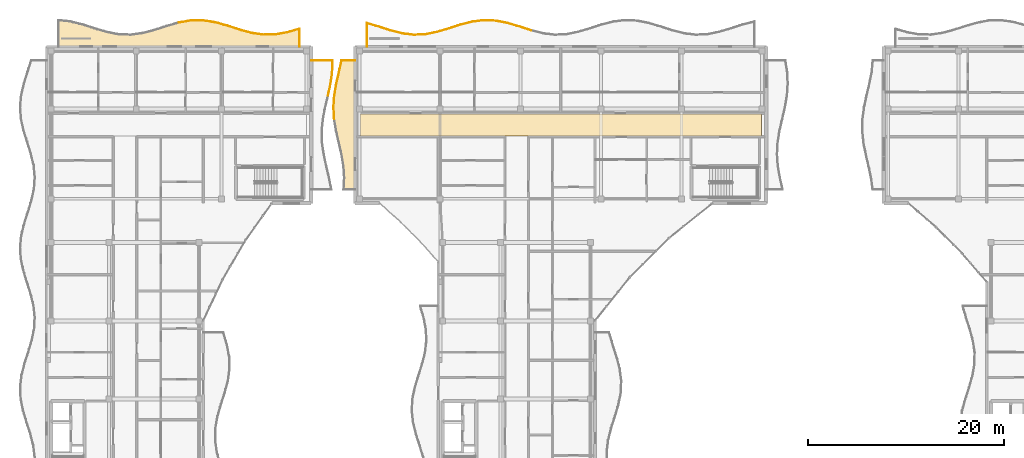
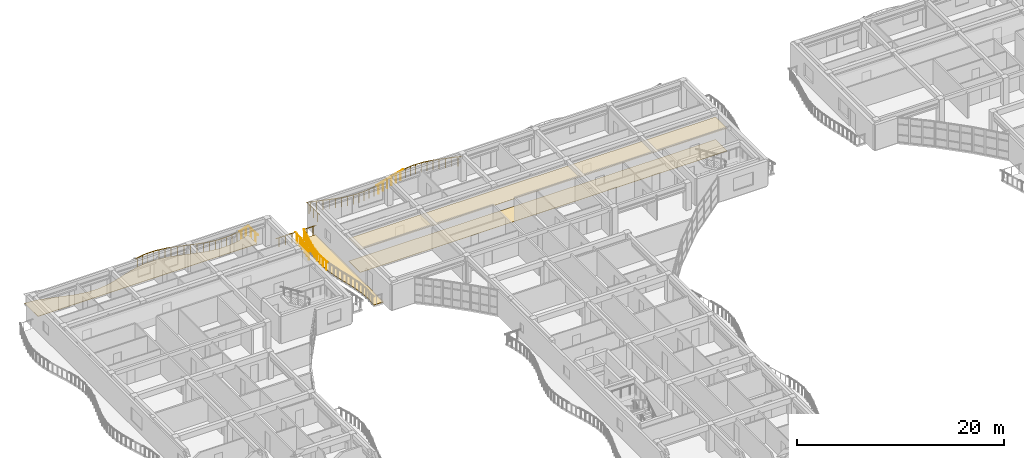
# One storey, part 66 of 79: 36 railings, 4 coverings.
"""IFC4 building model written with IfcOpenShell, lengths in metres."""

from ifc_helpers import new_model, si_unit, direction, frame, origin, origin_2d, place, context, subcontext, project, spatial, polyline, circle, outline, extrude, material, layer, layer_set, type_object, element, save


model = new_model("IFC4")

# Units and contexts
model_context = context("Model", 3, precision=1e-05, world=origin(), true_north=direction((0.0, 1.0)))
body_context = subcontext(model_context, "Body", "Model", "MODEL_VIEW")
ifc_project = project(units=[si_unit("LENGTHUNIT", "METRE"), si_unit("AREAUNIT", "SQUARE_METRE"), si_unit("VOLUMEUNIT", "CUBIC_METRE"), si_unit("PLANEANGLEUNIT", "RADIAN"), si_unit("MASSUNIT", "GRAM", prefix="KILO")], contexts=[model_context])

# Site, building, storey
site_placement = place(None, origin())
site = spatial("IfcSite", under=ifc_project, at=site_placement, CompositionType="ELEMENT")
building_placement = place(site_placement, origin())
building = spatial("IfcBuilding", under=site, at=building_placement, Name="Keldmere Railside Commons", CompositionType="ELEMENT")
storey_placement = place(building_placement, frame((0.0, 0.0, 10.56005859375)))
storey = spatial("IfcBuildingStorey", under=building, at=storey_placement, Name="L03", CompositionType="ELEMENT", Elevation=10.56005859375)

# Railings
ifc_material_1 = material(Name="Steel F-24 (S235)", Category="steel")
railing_type = type_object("IfcRailingType", Name="Balcony & Terrace Steel Balustrade 1100", PredefinedType="BALUSTRADE", material=ifc_material_1)
railing_1_placement = place(storey_placement, frame((21.5, 118.4521484375, 0.0)))
element("IfcRailing", 1, at=railing_1_placement, inside=storey, type_object=railing_type, Name="GR-1 GRD-L03-0266", PredefinedType="BALUSTRADE", context=body_context, shape_type="SweptSolid", body=[
    extrude(circle(Radius=0.02392578125, at=origin_2d()), frame((0.0, 0.0, 1.076171875), z_axis=(0.985151416024, 0.171687761665, 0.0), x_axis=(-0.171687761665, 0.985151416024, 0.0)), (0.0, 0.0, 1.0), 1.24853515625),
    extrude(circle(Radius=0.02099609375, at=origin_2d()), frame((0.3076171875, 0.0537109375, 0.0)), (0.0, 0.0, 1.0), 1.048095703125),
    extrude(circle(Radius=0.02099609375, at=origin_2d()), frame((0.92236328125, 0.16064453125, 0.0)), (0.0, 0.0, 1.0), 1.048095703125),
])
railing_2_placement = place(storey_placement, frame((22.72998046875, 118.66650390625, 0.0)))
element("IfcRailing", 2, at=railing_2_placement, inside=storey, type_object=railing_type, Name="GR-1 GRD-L03-0267", PredefinedType="BALUSTRADE", context=body_context, shape_type="SweptSolid", body=[
    extrude(circle(Radius=0.02392578125, at=origin_2d()), frame((0.0, 0.0, 1.076171875), z_axis=(0.999946736995, 0.010321006416, 0.0), x_axis=(-0.010321006416, 0.999946736995, 0.0)), (0.0, 0.0, 1.0), 1.22998046875),
    extrude(circle(Radius=0.02099609375, at=origin_2d()), frame((0.3076171875, 0.003173828125, 0.0)), (0.0, 0.0, 1.0), 1.048095703125),
    extrude(circle(Radius=0.02099609375, at=origin_2d()), frame((0.92236328125, 0.009521484375, 0.0)), (0.0, 0.0, 1.0), 1.048095703125),
])
railing_3_placement = place(storey_placement, frame((23.9599609375, 118.67919921875, 0.0)))
element("IfcRailing", 3, at=railing_3_placement, inside=storey, type_object=railing_type, Name="GR-1 GRD-L03-0268", PredefinedType="BALUSTRADE", context=body_context, shape_type="SweptSolid", body=[
    extrude(circle(Radius=0.02392578125, at=origin_2d()), frame((0.0, 0.0, 1.076171875), z_axis=(0.987987718432, -0.154532418048, 0.0), x_axis=(0.154532418048, 0.987987718432, 0.0)), (0.0, 0.0, 1.0), 1.244873046875),
    extrude(circle(Radius=0.02099609375, at=origin_2d()), frame((0.3076171875, -0.048095703125, 0.0)), (0.0, 0.0, 1.0), 1.048095703125),
    extrude(circle(Radius=0.02099609375, at=origin_2d()), frame((0.92236328125, -0.144287109375, 0.0)), (0.0, 0.0, 1.0), 1.048095703125),
])
railing_4_placement = place(storey_placement, frame((25.18994140625, 118.48681640625, 0.0)))
element("IfcRailing", 4, at=railing_4_placement, inside=storey, type_object=railing_type, Name="GR-1 GRD-L03-0269", PredefinedType="BALUSTRADE", context=body_context, shape_type="SweptSolid", body=[
    extrude(circle(Radius=0.02392578125, at=origin_2d()), frame((0.0, 0.0, 1.076171875), z_axis=(0.963193999011, -0.268807217667, 0.0), x_axis=(0.268807217667, 0.963193999011, 0.0)), (0.0, 0.0, 1.0), 1.277099609375),
    extrude(circle(Radius=0.02099609375, at=origin_2d()), frame((0.3076171875, -0.0859375, 0.0)), (0.0, 0.0, 1.0), 1.048095703125),
    extrude(circle(Radius=0.02099609375, at=origin_2d()), frame((0.92236328125, -0.25732421875, 0.0)), (0.0, 0.0, 1.0), 1.048095703125),
])
railing_5_placement = place(storey_placement, frame((26.419921875, 118.1435546875, 0.0)))
element("IfcRailing", 5, at=railing_5_placement, inside=storey, type_object=railing_type, Name="GR-1 GRD-L03-0270", PredefinedType="BALUSTRADE", context=body_context, shape_type="SweptSolid", body=[
    extrude(circle(Radius=0.02392578125, at=origin_2d()), frame((0.0, 0.0, 1.076171875), z_axis=(0.951496564548, -0.307659369521, 0.0), x_axis=(0.307659369521, 0.951496564548, 0.0)), (0.0, 0.0, 1.0), 1.292724609375),
    extrude(circle(Radius=0.02099609375, at=origin_2d()), frame((0.3076171875, -0.099365234375, 0.0)), (0.0, 0.0, 1.0), 1.048095703125),
    extrude(circle(Radius=0.02099609375, at=origin_2d()), frame((0.92236328125, -0.29833984375, 0.0)), (0.0, 0.0, 1.0), 1.048095703125),
])
railing_6_placement = place(storey_placement, frame((27.64990234375, 117.745849609375, 0.0)))
element("IfcRailing", 6, at=railing_6_placement, inside=storey, type_object=railing_type, Name="GR-1 GRD-L03-0271", PredefinedType="BALUSTRADE", context=body_context, shape_type="SweptSolid", body=[
    extrude(circle(Radius=0.02392578125, at=origin_2d()), frame((0.0, 0.0, 1.076171875), z_axis=(0.963786016475, -0.26667679773, 0.0), x_axis=(0.26667679773, 0.963786016475, 0.0)), (0.0, 0.0, 1.0), 1.276123046875),
    extrude(circle(Radius=0.02099609375, at=origin_2d()), frame((0.3076171875, -0.0849609375, 0.0)), (0.0, 0.0, 1.0), 1.048095703125),
    extrude(circle(Radius=0.02099609375, at=origin_2d()), frame((0.92236328125, -0.25537109375, 0.0)), (0.0, 0.0, 1.0), 1.048095703125),
])
railing_7_placement = place(storey_placement, frame((28.8798828125, 117.405517578125, 0.0)))
element("IfcRailing", 7, at=railing_7_placement, inside=storey, type_object=railing_type, Name="GR-1 GRD-L03-0272", PredefinedType="BALUSTRADE", context=body_context, shape_type="SweptSolid", body=[
    extrude(circle(Radius=0.02392578125, at=origin_2d()), frame((0.0, 0.0, 1.076171875), z_axis=(0.988642296583, -0.150287755345, 0.0), x_axis=(0.150287755345, 0.988642296583, 0.0)), (0.0, 0.0, 1.0), 1.244384765625),
    extrude(circle(Radius=0.02099609375, at=origin_2d()), frame((0.3076171875, -0.046875, 0.0)), (0.0, 0.0, 1.0), 1.048095703125),
    extrude(circle(Radius=0.02099609375, at=origin_2d()), frame((0.922607421875, -0.14013671875, 0.0)), (0.0, 0.0, 1.0), 1.048095703125),
])
railing_8_placement = place(storey_placement, frame((30.110107421875, 117.218505859375, 0.0)))
element("IfcRailing", 8, at=railing_8_placement, inside=storey, type_object=railing_type, Name="GR-1 GRD-L03-0273", PredefinedType="BALUSTRADE", context=body_context, shape_type="SweptSolid", body=[
    extrude(circle(Radius=0.02392578125, at=origin_2d()), frame((0.0, 0.0, 1.076171875), z_axis=(0.999889209116, 0.014885210537, 0.0), x_axis=(-0.014885210537, 0.999889209116, 0.0)), (0.0, 0.0, 1.0), 1.230224609375),
    extrude(circle(Radius=0.02099609375, at=origin_2d()), frame((0.3076171875, 0.004638671875, 0.0)), (0.0, 0.0, 1.0), 1.048095703125),
    extrude(circle(Radius=0.02099609375, at=origin_2d()), frame((0.92236328125, 0.013671875, 0.0)), (0.0, 0.0, 1.0), 1.048095703125),
])
railing_9_placement = place(storey_placement, frame((31.340087890625, 117.23681640625, 0.0)))
element("IfcRailing", 9, at=railing_9_placement, inside=storey, type_object=railing_type, Name="GR-1 GRD-L03-0274", PredefinedType="BALUSTRADE", context=body_context, shape_type="SweptSolid", body=[
    extrude(circle(Radius=0.02392578125, at=origin_2d()), frame((0.0, 0.0, 1.076171875), z_axis=(0.984516823713, 0.175290113313, 0.0), x_axis=(-0.175290113313, 0.984516823713, 0.0)), (0.0, 0.0, 1.0), 1.249267578125),
    extrude(circle(Radius=0.02099609375, at=origin_2d()), frame((0.3076171875, 0.0546875, 0.0)), (0.0, 0.0, 1.0), 1.048095703125),
    extrude(circle(Radius=0.02099609375, at=origin_2d()), frame((0.92236328125, 0.164306640625, 0.0)), (0.0, 0.0, 1.0), 1.048095703125),
])
railing_10_placement = place(storey_placement, frame((32.570068359375, 117.455810546875, 0.0)))
element("IfcRailing", 10, at=railing_10_placement, inside=storey, type_object=railing_type, Name="GR-1 GRD-L03-0275", PredefinedType="BALUSTRADE", context=body_context, shape_type="SweptSolid", body=[
    extrude(circle(Radius=0.02392578125, at=origin_2d()), frame((0.0, 0.0, 1.076171875), z_axis=(0.960174847078, 0.279399826482, 0.0), x_axis=(-0.279399826482, 0.960174847078, 0.0)), (0.0, 0.0, 1.0), 1.281005859375),
    extrude(circle(Radius=0.02099609375, at=origin_2d()), frame((0.3076171875, 0.08935546875, 0.0)), (0.0, 0.0, 1.0), 1.048095703125),
    extrude(circle(Radius=0.02099609375, at=origin_2d()), frame((0.92236328125, 0.2685546875, 0.0)), (0.0, 0.0, 1.0), 1.048095703125),
])
railing_11_placement = place(storey_placement, frame((33.800048828125, 117.813720703125, 0.0)))
element("IfcRailing", 11, at=railing_11_placement, inside=storey, type_object=railing_type, Name="GR-1 GRD-L03-0276", PredefinedType="BALUSTRADE", context=body_context, shape_type="SweptSolid", body=[
    extrude(circle(Radius=0.02392578125, at=origin_2d()), frame((0.0, 0.0, 1.076171875), z_axis=(0.0, -1.0, 0.0), x_axis=(1.0, 0.0, 0.0)), (0.0, 0.0, 1.0), 1.813720703125),
    extrude(circle(Radius=0.02099609375, at=origin_2d()), frame((0.0, -0.453369140625, 0.0)), (0.0, 0.0, 1.0), 1.048095703125),
    extrude(circle(Radius=0.02099609375, at=origin_2d()), frame((0.0, -1.3603515625, 0.0)), (0.0, 0.0, 1.0), 1.048095703125),
])
railing_12_placement = place(storey_placement, frame((36.735107421875, 111.0, 0.0)))
element("IfcRailing", 12, at=railing_12_placement, inside=storey, type_object=railing_type, Name="GR-1 GRD-L03-0362", PredefinedType="BALUSTRADE", context=body_context, shape_type="SweptSolid", body=[
    extrude(circle(Radius=0.02392578125, at=origin_2d()), frame((0.0, 0.0, 1.076171875), z_axis=(0.212148980095, 0.977237335679, 0.0), x_axis=(-0.977237335679, 0.212148980095, 0.0)), (0.0, 0.0, 1.0), 1.227783203125),
    extrude(circle(Radius=0.02099609375, at=origin_2d()), frame((0.065185546875, 0.300048828125, 0.0)), (0.0, 0.0, 1.0), 1.048095703125),
    extrude(circle(Radius=0.02099609375, at=origin_2d()), frame((0.1953125, 0.89990234375, 0.0)), (0.0, 0.0, 1.0), 1.048095703125),
])
railing_13_placement = place(storey_placement, frame((36.99560546875, 112.199951171875, 0.0)))
element("IfcRailing", 13, at=railing_13_placement, inside=storey, type_object=railing_type, Name="GR-1 GRD-L03-0363", PredefinedType="BALUSTRADE", context=body_context, shape_type="SweptSolid", body=[
    extrude(circle(Radius=0.02392578125, at=origin_2d()), frame((0.0, 0.0, 1.076171875), z_axis=(0.138232805242, 0.990399763507, 0.0), x_axis=(-0.990399763507, 0.138232805242, 0.0)), (0.0, 0.0, 1.0), 1.211669921875),
    extrude(circle(Radius=0.02099609375, at=origin_2d()), frame((0.0419921875, 0.300048828125, 0.0)), (0.0, 0.0, 1.0), 1.048095703125),
    extrude(circle(Radius=0.02099609375, at=origin_2d()), frame((0.12548828125, 0.89990234375, 0.0)), (0.0, 0.0, 1.0), 1.048095703125),
])
railing_14_placement = place(storey_placement, frame((37.1630859375, 113.39990234375, 0.0)))
element("IfcRailing", 14, at=railing_14_placement, inside=storey, type_object=railing_type, Name="GR-1 GRD-L03-0364", PredefinedType="BALUSTRADE", context=body_context, shape_type="SweptSolid", body=[
    extrude(circle(Radius=0.02392578125, at=origin_2d()), frame((0.0, 0.0, 1.076171875), z_axis=(0.025215738823, 0.999682032706, 0.0), x_axis=(-0.999682032706, 0.025215738823, 0.0)), (0.0, 0.0, 1.0), 1.20068359375),
    extrude(circle(Radius=0.02099609375, at=origin_2d()), frame((0.007568359375, 0.300048828125, 0.0)), (0.0, 0.0, 1.0), 1.048095703125),
    extrude(circle(Radius=0.02099609375, at=origin_2d()), frame((0.022705078125, 0.900146484375, 0.0)), (0.0, 0.0, 1.0), 1.048095703125),
])
railing_15_placement = place(storey_placement, frame((37.193359375, 114.60009765625, 0.0)))
element("IfcRailing", 15, at=railing_15_placement, inside=storey, type_object=railing_type, Name="GR-1 GRD-L03-0365", PredefinedType="BALUSTRADE", context=body_context, shape_type="SweptSolid", body=[
    extrude(circle(Radius=0.02392578125, at=origin_2d()), frame((0.0, 0.0, 1.076171875), z_axis=(-1.0, 0.0, 0.0), x_axis=(0.0, -1.0, 0.0)), (0.0, 0.0, 1.0), 2.193359375),
    extrude(circle(Radius=0.02099609375, at=origin_2d()), frame((-0.365478515625, 0.0, 0.0)), (0.0, 0.0, 1.0), 1.048095703125),
    extrude(circle(Radius=0.02099609375, at=origin_2d()), frame((-1.0966796875, 0.0, 0.0)), (0.0, 0.0, 1.0), 1.048095703125),
    extrude(circle(Radius=0.02099609375, at=origin_2d()), frame((-1.827880859375, 0.0, 0.0)), (0.0, 0.0, 1.0), 1.048095703125),
])
railing_16_placement = place(storey_placement, frame((40.699951171875, 116.0, 0.0)))
element("IfcRailing", 16, at=railing_16_placement, inside=storey, type_object=railing_type, Name="GR-1 GRD-L03-1048", PredefinedType="BALUSTRADE", context=body_context, shape_type="SweptSolid", body=[
    extrude(circle(Radius=0.02392578125, at=origin_2d()), frame((0.0, 0.0, 1.076171875), z_axis=(0.0, 1.0, 0.0), x_axis=(-1.0, 0.0, 0.0)), (0.0, 0.0, 1.0), 2.39892578125),
    extrude(circle(Radius=0.02099609375, at=origin_2d()), frame((0.0, 0.39990234375, 0.0)), (0.0, 0.0, 1.0), 1.048095703125),
    extrude(circle(Radius=0.02099609375, at=origin_2d()), frame((0.0, 1.199462890625, 0.0)), (0.0, 0.0, 1.0), 1.048095703125),
    extrude(circle(Radius=0.02099609375, at=origin_2d()), frame((0.0, 1.9990234375, 0.0)), (0.0, 0.0, 1.0), 1.048095703125),
])
railing_17_placement = place(storey_placement, frame((40.699951171875, 118.39892578125, 0.0)))
element("IfcRailing", 17, at=railing_17_placement, inside=storey, type_object=railing_type, Name="GR-1 GRD-L03-1049", PredefinedType="BALUSTRADE", context=body_context, shape_type="SweptSolid", body=[
    extrude(circle(Radius=0.02392578125, at=origin_2d()), frame((0.0, 0.0, 1.076171875), z_axis=(0.957692109251, -0.287794759992, 0.0), x_axis=(0.287794759992, 0.957692109251, 0.0)), (0.0, 0.0, 1.0), 1.2529296875),
    extrude(circle(Radius=0.02099609375, at=origin_2d()), frame((0.300048828125, -0.090087890625, 0.0)), (0.0, 0.0, 1.0), 1.048095703125),
    extrude(circle(Radius=0.02099609375, at=origin_2d()), frame((0.89990234375, -0.2705078125, 0.0)), (0.0, 0.0, 1.0), 1.048095703125),
])
railing_18_placement = place(storey_placement, frame((41.89990234375, 118.038330078125, 0.0)))
element("IfcRailing", 18, at=railing_18_placement, inside=storey, type_object=railing_type, Name="GR-1 GRD-L03-1050", PredefinedType="BALUSTRADE", context=body_context, shape_type="SweptSolid", body=[
    extrude(circle(Radius=0.02392578125, at=origin_2d()), frame((0.0, 0.0, 1.076171875), z_axis=(0.952374647841, -0.304930369345, 0.0), x_axis=(0.304930369345, 0.952374647841, 0.0)), (0.0, 0.0, 1.0), 1.26025390625),
    extrude(circle(Radius=0.02099609375, at=origin_2d()), frame((0.300048828125, -0.09619140625, 0.0)), (0.0, 0.0, 1.0), 1.048095703125),
    extrude(circle(Radius=0.02099609375, at=origin_2d()), frame((0.900146484375, -0.2880859375, 0.0)), (0.0, 0.0, 1.0), 1.048095703125),
])
railing_19_placement = place(storey_placement, frame((43.10009765625, 117.654052734375, 0.0)))
element("IfcRailing", 19, at=railing_19_placement, inside=storey, type_object=railing_type, Name="GR-1 GRD-L03-1051", PredefinedType="BALUSTRADE", context=body_context, shape_type="SweptSolid", body=[
    extrude(circle(Radius=0.02392578125, at=origin_2d()), frame((0.0, 0.0, 1.076171875), z_axis=(0.969195661645, -0.246292040976, 0.0), x_axis=(0.246292040976, 0.969195661645, 0.0)), (0.0, 0.0, 1.0), 1.238037109375),
    extrude(circle(Radius=0.02099609375, at=origin_2d()), frame((0.300048828125, -0.076171875, 0.0)), (0.0, 0.0, 1.0), 1.048095703125),
    extrude(circle(Radius=0.02099609375, at=origin_2d()), frame((0.89990234375, -0.228759765625, 0.0)), (0.0, 0.0, 1.0), 1.048095703125),
])
railing_20_placement = place(storey_placement, frame((44.300048828125, 117.34912109375, 0.0)))
element("IfcRailing", 20, at=railing_20_placement, inside=storey, type_object=railing_type, Name="GR-1 GRD-L03-1052", PredefinedType="BALUSTRADE", context=body_context, shape_type="SweptSolid", body=[
    extrude(circle(Radius=0.02392578125, at=origin_2d()), frame((0.0, 0.0, 1.076171875), z_axis=(0.992872058306, -0.119185048708, 0.0), x_axis=(0.119185048708, 0.992872058306, 0.0)), (0.0, 0.0, 1.0), 1.20849609375),
    extrude(circle(Radius=0.02099609375, at=origin_2d()), frame((0.300048828125, -0.0361328125, 0.0)), (0.0, 0.0, 1.0), 1.048095703125),
    extrude(circle(Radius=0.02099609375, at=origin_2d()), frame((0.89990234375, -0.10791015625, 0.0)), (0.0, 0.0, 1.0), 1.048095703125),
])
railing_21_placement = place(storey_placement, frame((45.5, 117.205078125, 0.0)))
element("IfcRailing", 21, at=railing_21_placement, inside=storey, type_object=railing_type, Name="GR-1 GRD-L03-1053", PredefinedType="BALUSTRADE", context=body_context, shape_type="SweptSolid", body=[
    extrude(circle(Radius=0.02392578125, at=origin_2d()), frame((0.0, 0.0, 1.076171875), z_axis=(0.998916353717, 0.046541575789, 0.0), x_axis=(-0.046541575789, 0.998916353717, 0.0)), (0.0, 0.0, 1.0), 1.201171875),
    extrude(circle(Radius=0.02099609375, at=origin_2d()), frame((0.300048828125, 0.013916015625, 0.0)), (0.0, 0.0, 1.0), 1.048095703125),
    extrude(circle(Radius=0.02099609375, at=origin_2d()), frame((0.89990234375, 0.0419921875, 0.0)), (0.0, 0.0, 1.0), 1.048095703125),
])
railing_22_placement = place(storey_placement, frame((46.699951171875, 117.260986328125, 0.0)))
element("IfcRailing", 22, at=railing_22_placement, inside=storey, type_object=railing_type, Name="GR-1 GRD-L03-1054", PredefinedType="BALUSTRADE", context=body_context, shape_type="SweptSolid", body=[
    extrude(circle(Radius=0.02392578125, at=origin_2d()), frame((0.0, 0.0, 1.076171875), z_axis=(0.980542291551, 0.196307958268, 0.0), x_axis=(-0.196307958268, 0.980542291551, 0.0)), (0.0, 0.0, 1.0), 1.223876953125),
    extrude(circle(Radius=0.02099609375, at=origin_2d()), frame((0.300048828125, 0.06005859375, 0.0)), (0.0, 0.0, 1.0), 1.048095703125),
    extrude(circle(Radius=0.02099609375, at=origin_2d()), frame((0.89990234375, 0.18017578125, 0.0)), (0.0, 0.0, 1.0), 1.048095703125),
])
railing_23_placement = place(storey_placement, frame((47.89990234375, 117.501220703125, 0.0)))
element("IfcRailing", 23, at=railing_23_placement, inside=storey, type_object=railing_type, Name="GR-1 GRD-L03-1055", PredefinedType="BALUSTRADE", context=body_context, shape_type="SweptSolid", body=[
    extrude(circle(Radius=0.02392578125, at=origin_2d()), frame((0.0, 0.0, 1.076171875), z_axis=(0.95770824342, 0.287741064998, 0.0), x_axis=(-0.287741064998, 0.95770824342, 0.0)), (0.0, 0.0, 1.0), 1.253173828125),
    extrude(circle(Radius=0.02099609375, at=origin_2d()), frame((0.300048828125, 0.090087890625, 0.0)), (0.0, 0.0, 1.0), 1.048095703125),
    extrude(circle(Radius=0.02099609375, at=origin_2d()), frame((0.900146484375, 0.2705078125, 0.0)), (0.0, 0.0, 1.0), 1.048095703125),
])
railing_24_placement = place(storey_placement, frame((49.10009765625, 117.86181640625, 0.0)))
element("IfcRailing", 24, at=railing_24_placement, inside=storey, type_object=railing_type, Name="GR-1 GRD-L03-1056", PredefinedType="BALUSTRADE", context=body_context, shape_type="SweptSolid", body=[
    extrude(circle(Radius=0.02392578125, at=origin_2d()), frame((0.0, 0.0, 1.076171875), z_axis=(0.95241289681, 0.304810882336, 0.0), x_axis=(-0.304810882336, 0.95241289681, 0.0)), (0.0, 0.0, 1.0), 1.260009765625),
    extrude(circle(Radius=0.02099609375, at=origin_2d()), frame((0.300048828125, 0.095947265625, 0.0)), (0.0, 0.0, 1.0), 1.048095703125),
    extrude(circle(Radius=0.02099609375, at=origin_2d()), frame((0.89990234375, 0.2880859375, 0.0)), (0.0, 0.0, 1.0), 1.048095703125),
])
railing_25_placement = place(storey_placement, frame((50.300048828125, 118.245849609375, 0.0)))
element("IfcRailing", 25, at=railing_25_placement, inside=storey, type_object=railing_type, Name="GR-1 GRD-L03-1057", PredefinedType="BALUSTRADE", context=body_context, shape_type="SweptSolid", body=[
    extrude(circle(Radius=0.02392578125, at=origin_2d()), frame((0.0, 0.0, 1.076171875), z_axis=(0.969195661645, 0.246292040976, 0.0), x_axis=(-0.246292040976, 0.969195661645, 0.0)), (0.0, 0.0, 1.0), 1.238037109375),
    extrude(circle(Radius=0.02099609375, at=origin_2d()), frame((0.300048828125, 0.076171875, 0.0)), (0.0, 0.0, 1.0), 1.048095703125),
    extrude(circle(Radius=0.02099609375, at=origin_2d()), frame((0.89990234375, 0.228759765625, 0.0)), (0.0, 0.0, 1.0), 1.048095703125),
])
railing_26_placement = place(storey_placement, frame((51.5, 118.55078125, 0.0)))
element("IfcRailing", 26, at=railing_26_placement, inside=storey, type_object=railing_type, Name="GR-1 GRD-L03-1058", PredefinedType="BALUSTRADE", context=body_context, shape_type="SweptSolid", body=[
    extrude(circle(Radius=0.02392578125, at=origin_2d()), frame((0.0, 0.0, 1.076171875), z_axis=(0.992872058306, 0.119185048708, 0.0), x_axis=(-0.119185048708, 0.992872058306, 0.0)), (0.0, 0.0, 1.0), 1.20849609375),
    extrude(circle(Radius=0.02099609375, at=origin_2d()), frame((0.300048828125, 0.0361328125, 0.0)), (0.0, 0.0, 1.0), 1.048095703125),
    extrude(circle(Radius=0.02099609375, at=origin_2d()), frame((0.89990234375, 0.10791015625, 0.0)), (0.0, 0.0, 1.0), 1.048095703125),
])
railing_27_placement = place(storey_placement, frame((52.699951171875, 118.69482421875, 0.0)))
element("IfcRailing", 27, at=railing_27_placement, inside=storey, type_object=railing_type, Name="GR-1 GRD-L03-1059", PredefinedType="BALUSTRADE", context=body_context, shape_type="SweptSolid", body=[
    extrude(circle(Radius=0.02392578125, at=origin_2d()), frame((0.0, 0.0, 1.076171875), z_axis=(0.998925782001, -0.046338774831, 0.0), x_axis=(0.046338774831, 0.998925782001, 0.0)), (0.0, 0.0, 1.0), 1.201171875),
    extrude(circle(Radius=0.02099609375, at=origin_2d()), frame((0.300048828125, -0.013916015625, 0.0)), (0.0, 0.0, 1.0), 1.048095703125),
    extrude(circle(Radius=0.02099609375, at=origin_2d()), frame((0.89990234375, -0.041748046875, 0.0)), (0.0, 0.0, 1.0), 1.048095703125),
])
railing_28_placement = place(storey_placement, frame((53.89990234375, 118.63916015625, 0.0)))
element("IfcRailing", 28, at=railing_28_placement, inside=storey, type_object=railing_type, Name="GR-1 GRD-L03-1060", PredefinedType="BALUSTRADE", context=body_context, shape_type="SweptSolid", body=[
    extrude(circle(Radius=0.02392578125, at=origin_2d()), frame((0.0, 0.0, 1.076171875), z_axis=(0.980549977389, -0.196269564229, 0.0), x_axis=(0.196269564229, 0.980549977389, 0.0)), (0.0, 0.0, 1.0), 1.22412109375),
    extrude(circle(Radius=0.02099609375, at=origin_2d()), frame((0.300048828125, -0.06005859375, 0.0)), (0.0, 0.0, 1.0), 1.048095703125),
    extrude(circle(Radius=0.02099609375, at=origin_2d()), frame((0.900146484375, -0.18017578125, 0.0)), (0.0, 0.0, 1.0), 1.048095703125),
])
railing_29_placement = place(storey_placement, frame((55.10009765625, 118.39892578125, 0.0)))
element("IfcRailing", 29, at=railing_29_placement, inside=storey, type_object=railing_type, Name="GR-1 GRD-L03-1061", PredefinedType="BALUSTRADE", context=body_context, shape_type="SweptSolid", body=[
    extrude(circle(Radius=0.02392578125, at=origin_2d()), frame((0.0, 0.0, 1.076171875), z_axis=(0.957692109251, -0.287794759992, 0.0), x_axis=(0.287794759992, 0.957692109251, 0.0)), (0.0, 0.0, 1.0), 1.2529296875),
    extrude(circle(Radius=0.02099609375, at=origin_2d()), frame((0.300048828125, -0.090087890625, 0.0)), (0.0, 0.0, 1.0), 1.048095703125),
    extrude(circle(Radius=0.02099609375, at=origin_2d()), frame((0.89990234375, -0.2705078125, 0.0)), (0.0, 0.0, 1.0), 1.048095703125),
])
railing_30_placement = place(storey_placement, frame((56.300048828125, 118.038330078125, 0.0)))
element("IfcRailing", 30, at=railing_30_placement, inside=storey, type_object=railing_type, Name="GR-1 GRD-L03-1062", PredefinedType="BALUSTRADE", context=body_context, shape_type="SweptSolid", body=[
    extrude(circle(Radius=0.02392578125, at=origin_2d()), frame((0.0, 0.0, 1.076171875), z_axis=(0.952356629388, -0.304986639808, 0.0), x_axis=(0.304986639808, 0.952356629388, 0.0)), (0.0, 0.0, 1.0), 1.260009765625),
    extrude(circle(Radius=0.02099609375, at=origin_2d()), frame((0.300048828125, -0.09619140625, 0.0)), (0.0, 0.0, 1.0), 1.048095703125),
    extrude(circle(Radius=0.02099609375, at=origin_2d()), frame((0.89990234375, -0.2880859375, 0.0)), (0.0, 0.0, 1.0), 1.048095703125),
])
railing_31_placement = place(storey_placement, frame((37.37060546875, 108.60009765625, 0.0)))
element("IfcRailing", 31, at=railing_31_placement, inside=storey, type_object=railing_type, Name="GR-1 GRD-L03-1158", PredefinedType="BALUSTRADE", context=body_context, shape_type="SweptSolid", body=[
    extrude(circle(Radius=0.02392578125, at=origin_2d()), frame((0.0, 0.0, 1.076171875), z_axis=(-0.058698209274, 0.998275773636, 0.0), x_axis=(-0.998275773636, -0.058698209274, 0.0)), (0.0, 0.0, 1.0), 1.201904296875),
    extrude(circle(Radius=0.02099609375, at=origin_2d()), frame((-0.017578125, 0.300048828125, 0.0)), (0.0, 0.0, 1.0), 1.048095703125),
    extrude(circle(Radius=0.02099609375, at=origin_2d()), frame((-0.052978515625, 0.89990234375, 0.0)), (0.0, 0.0, 1.0), 1.048095703125),
])
railing_32_placement = place(storey_placement, frame((37.300048828125, 109.800048828125, 0.0)))
element("IfcRailing", 32, at=railing_32_placement, inside=storey, type_object=railing_type, Name="GR-1 GRD-L03-1159", PredefinedType="BALUSTRADE", context=body_context, shape_type="SweptSolid", body=[
    extrude(circle(Radius=0.02392578125, at=origin_2d()), frame((0.0, 0.0, 1.076171875), z_axis=(0.063756087584, 0.997965511075, 0.0), x_axis=(-0.997965511075, 0.063756087584, 0.0)), (0.0, 0.0, 1.0), 1.202392578125),
    extrude(circle(Radius=0.02099609375, at=origin_2d()), frame((0.01904296875, 0.300048828125, 0.0)), (0.0, 0.0, 1.0), 1.048095703125),
    extrude(circle(Radius=0.02099609375, at=origin_2d()), frame((0.0576171875, 0.89990234375, 0.0)), (0.0, 0.0, 1.0), 1.048095703125),
])
railing_33_placement = place(storey_placement, frame((37.376708984375, 111.0, 0.0)))
element("IfcRailing", 33, at=railing_33_placement, inside=storey, type_object=railing_type, Name="GR-1 GRD-L03-1160", PredefinedType="BALUSTRADE", context=body_context, shape_type="SweptSolid", body=[
    extrude(circle(Radius=0.02392578125, at=origin_2d()), frame((0.0, 0.0, 1.076171875), z_axis=(0.167293302361, 0.985907171586, 0.0), x_axis=(-0.985907171586, 0.167293302361, 0.0)), (0.0, 0.0, 1.0), 1.217041015625),
    extrude(circle(Radius=0.02099609375, at=origin_2d()), frame((0.05078125, 0.300048828125, 0.0)), (0.0, 0.0, 1.0), 1.048095703125),
    extrude(circle(Radius=0.02099609375, at=origin_2d()), frame((0.15283203125, 0.89990234375, 0.0)), (0.0, 0.0, 1.0), 1.048095703125),
])
railing_34_placement = place(storey_placement, frame((37.580322265625, 112.199951171875, 0.0)))
element("IfcRailing", 34, at=railing_34_placement, inside=storey, type_object=railing_type, Name="GR-1 GRD-L03-1161", PredefinedType="BALUSTRADE", context=body_context, shape_type="SweptSolid", body=[
    extrude(circle(Radius=0.02392578125, at=origin_2d()), frame((0.0, 0.0, 1.076171875), z_axis=(0.224062946507, 0.974574674411, 0.0), x_axis=(-0.974574674411, 0.224062946507, 0.0)), (0.0, 0.0, 1.0), 1.231201171875),
    extrude(circle(Radius=0.02099609375, at=origin_2d()), frame((0.06884765625, 0.300048828125, 0.0)), (0.0, 0.0, 1.0), 1.048095703125),
    extrude(circle(Radius=0.02099609375, at=origin_2d()), frame((0.20703125, 0.89990234375, 0.0)), (0.0, 0.0, 1.0), 1.048095703125),
])
railing_35_placement = place(storey_placement, frame((37.856201171875, 113.39990234375, 0.0)))
element("IfcRailing", 35, at=railing_35_placement, inside=storey, type_object=railing_type, Name="GR-1 GRD-L03-1162", PredefinedType="BALUSTRADE", context=body_context, shape_type="SweptSolid", body=[
    extrude(circle(Radius=0.02392578125, at=origin_2d()), frame((0.0, 0.0, 1.076171875), z_axis=(0.222700952764, 0.974886806577, 0.0), x_axis=(-0.974886806577, 0.222700952764, 0.0)), (0.0, 0.0, 1.0), 1.231201171875),
    extrude(circle(Radius=0.02099609375, at=origin_2d()), frame((0.068603515625, 0.300048828125, 0.0)), (0.0, 0.0, 1.0), 1.048095703125),
    extrude(circle(Radius=0.02099609375, at=origin_2d()), frame((0.20556640625, 0.900146484375, 0.0)), (0.0, 0.0, 1.0), 1.048095703125),
])
railing_36_placement = place(storey_placement, frame((38.13037109375, 114.60009765625, 0.0)))
element("IfcRailing", 36, at=railing_36_placement, inside=storey, type_object=railing_type, Name="GR-1 GRD-L03-1163", PredefinedType="BALUSTRADE", context=body_context, shape_type="SweptSolid", body=[
    extrude(circle(Radius=0.02392578125, at=origin_2d()), frame((0.0, 0.0, 1.076171875), z_axis=(1.0, 0.0, 0.0), x_axis=(0.0, 1.0, 0.0)), (0.0, 0.0, 1.0), 1.36962890625),
    extrude(circle(Radius=0.02099609375, at=origin_2d()), frame((0.34228515625, 0.0, 0.0)), (0.0, 0.0, 1.0), 1.048095703125),
    extrude(circle(Radius=0.02099609375, at=origin_2d()), frame((1.02734375, 0.0, 0.0)), (0.0, 0.0, 1.0), 1.048095703125),
])

# Coverings
ifc_material_2 = material(Name="Polished Terrazzo Tile Flooring", Category="concrete")
ifc_layer_1 = layer(ifc_material_2, 0.030029296875, Name="Polished Terrazzo Floor Finish 30")
ifc_layer_set_1 = layer_set([ifc_layer_1], Name="Polished Terrazzo Tile Flooring")
covering_type_1 = type_object("IfcCoveringType", Name="Polished Terrazzo Floor Finish 30", PredefinedType="FLOORING", material=ifc_layer_set_1)
covering_1_placement = place(storey_placement, origin())
element("IfcCovering", 37, at=covering_1_placement, inside=storey, type_object=covering_type_1, Name="FLR-1 Corridor Terrazzo C-L03", PredefinedType="FLOORING", context=body_context, shape_type="SweptSolid", body=[
    extrude(outline(polyline([(39.97998046875, 106.8798828125), (81.02001953125, 106.8798828125), (81.02001953125, 109.1201171875), (39.97998046875, 109.1201171875), (39.97998046875, 106.8798828125)])), origin(), (0.0, 0.0, 1.0), 0.030029296875),
])
ifc_material_3 = material(Name="Acoustic Mineral-Fibre Gypsum Ceiling", Category="gypsum")
ifc_layer_2 = layer(ifc_material_3, 0.02490234375, Name="Suspended Acoustic Ceiling 25")
ifc_layer_set_2 = layer_set([ifc_layer_2], Name="Acoustic Mineral-Fibre Gypsum Ceiling")
covering_type_2 = type_object("IfcCoveringType", Name="Suspended Acoustic Ceiling 25", PredefinedType="CEILING", material=ifc_layer_set_2)
covering_2_placement = place(storey_placement, frame((0.0, 0.0, 2.675048828125)))
element("IfcCovering", 38, at=covering_2_placement, inside=storey, type_object=covering_type_2, Name="CLG-1 Corridor Ceiling C-L03", PredefinedType="CEILING", context=body_context, shape_type="SweptSolid", body=[
    extrude(outline(polyline([(39.97998046875, 106.8798828125), (81.02001953125, 106.8798828125), (81.02001953125, 109.1201171875), (39.97998046875, 109.1201171875), (39.97998046875, 106.8798828125)])), origin(), (0.0, 0.0, 1.0), 0.02490234375),
])
ifc_material_4 = material(Name="White Precast Concrete C35/45", Category="concrete")
ifc_layer_3 = layer(ifc_material_4, 0.044921875, Name="White Architectural Balcony Ribbon Cladding 45")
ifc_layer_set_3 = layer_set([ifc_layer_3], Name="White Precast Concrete C35/45")
covering_type_3 = type_object("IfcCoveringType", Name="White Architectural Balcony Ribbon Cladding 45", PredefinedType="FLOORING", material=ifc_layer_set_3)
covering_3_placement = place(storey_placement, origin())
element("IfcCovering", 39, at=covering_3_placement, inside=storey, type_object=covering_type_3, Name="CLG-WB D L03 N White Balcony Ribbon", PredefinedType="FLOORING", context=body_context, shape_type="SweptSolid", body=[
    extrude(outline(polyline([(33.760009765625, 116.0400390625), (33.760009765625, 117.760498046875), (32.581298828125, 117.41748046875), (32.576904296875, 117.41650390625), (31.346923828125, 117.197509765625), (31.34375, 117.197021484375), (31.340576171875, 117.197021484375), (30.110595703125, 117.178466796875), (30.107421875, 117.178466796875), (30.10400390625, 117.178955078125), (28.8740234375, 117.3662109375), (28.869384765625, 117.366943359375), (27.639404296875, 117.707275390625), (27.6376953125, 117.707763671875), (26.408447265625, 118.105224609375), (25.181396484375, 118.44775390625), (23.95703125, 118.63916015625), (22.733642578125, 118.62646484375), (21.509033203125, 118.4130859375), (20.28173828125, 118.05859375), (19.05224609375, 117.662109375), (19.05029296875, 117.661376953125), (17.8203125, 117.3349609375), (17.815185546875, 117.333984375), (16.585205078125, 117.169677734375), (16.581787109375, 117.169189453125), (16.57861328125, 117.169189453125), (15.3486328125, 117.213134765625), (15.345458984375, 117.21337890625), (15.34228515625, 117.2138671875), (14.1123046875, 117.45361328125), (14.1083984375, 117.45458984375), (12.87841796875, 117.822998046875), (12.877685546875, 117.8232421875), (11.64892578125, 118.216064453125), (10.4228515625, 118.522705078125), (9.239990234375, 118.653076171875), (9.239990234375, 116.0400390625), (33.760009765625, 116.0400390625)])), origin(), (0.0, 0.0, 1.0), 0.044921875),
])
covering_4_placement = place(storey_placement, origin())
element("IfcCovering", 40, at=covering_4_placement, inside=storey, type_object=covering_type_3, Name="CLG-WB C L03 WW White Balcony Ribbon", PredefinedType="FLOORING", context=body_context, shape_type="SweptSolid", body=[
    extrude(outline(polyline([(39.4599609375, 114.56005859375), (38.162109375, 114.56005859375), (37.895263671875, 113.39111328125), (37.895263671875, 113.39111328125), (37.61962890625, 112.192138671875), (37.41650390625, 110.995361328125), (37.340087890625, 109.7998046875), (37.410400390625, 108.6044921875), (37.60888671875, 107.40771484375), (37.8828125, 106.208984375), (38.15869140625, 105.009033203125), (38.158935546875, 105.006591796875), (38.362548828125, 103.806640625), (38.363037109375, 103.802490234375), (38.43994140625, 102.6025390625), (38.43994140625, 102.59765625), (38.371826171875, 101.43994140625), (39.4599609375, 101.43994140625), (39.4599609375, 114.56005859375)])), origin(), (0.0, 0.0, 1.0), 0.044921875),
])

save(model, "model.ifc")
